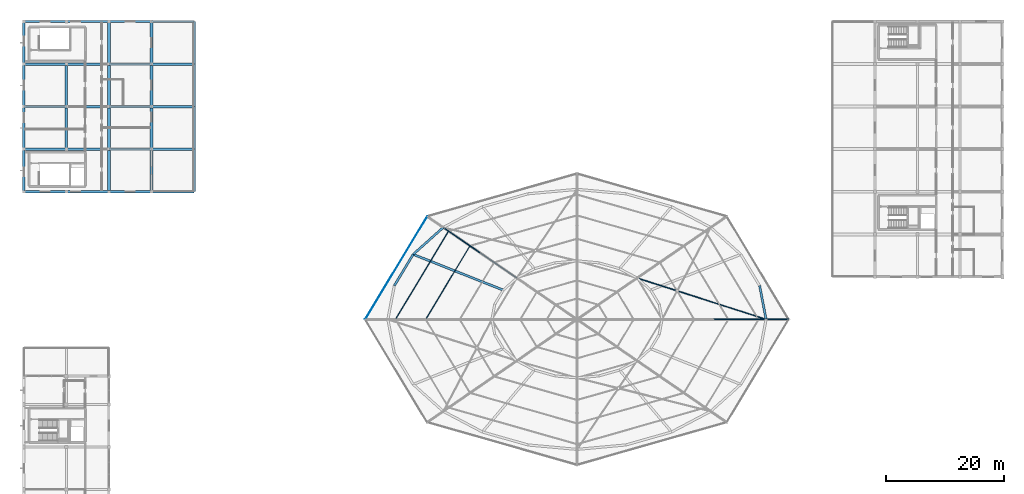
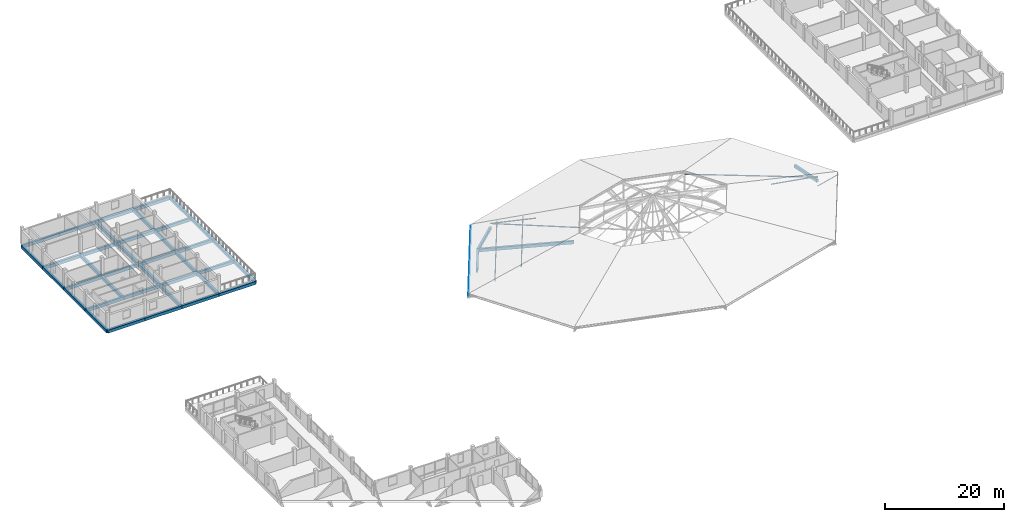
# One storey, part 32 of 66: 42 beams, 8 members.
"""IFC4 building model written with IfcOpenShell, lengths in metres."""

import ifcopenshell
import ifcopenshell.guid

model = None  # the IFC model being written
_history = None  # IfcOwnerHistory: only IFC2X3 demands one
_inside = {}  # id of a spatial element -> (the spatial element, [elements in it])
_under = {}  # id of a project, library or spatial element -> (it, [spatial elements below it])
_declared = {}  # id of a project -> (the project, [libraries it declares])
_typed = {}  # id of a type object -> (the type object, [elements of that type])
_made_of = {}  # id of a material, layer set ... -> (it, [elements and type objects made of it])


def new_model(schema):
    """Start an empty IFC model of exactly this schema.

    Asked for "IFC4X3", IfcOpenShell would pick the latest addendum, in which some entities
    have other attributes; the version numbers below select the first issue.
    IFC2X3 requires an IfcOwnerHistory on every rooted entity: one is made here for all.
    """
    global model, _history
    if schema == "IFC4X3":
        model = ifcopenshell.file(schema_version=(4, 3, 0, 0))
    else:
        model = ifcopenshell.file(schema=schema)
    _inside.clear()
    _under.clear()
    _declared.clear()
    _typed.clear()
    _made_of.clear()
    _history = None
    if model.schema == "IFC2X3":
        org = make("IfcOrganization", Name="unknown")
        user = make(
            "IfcPersonAndOrganization",
            ThePerson=make("IfcPerson", FamilyName="unknown"),
            TheOrganization=org,
        )
        app = make(
            "IfcApplication",
            ApplicationDeveloper=org,
            Version="unknown",
            ApplicationFullName="unknown",
            ApplicationIdentifier="unknown",
        )
        _history = make(
            "IfcOwnerHistory",
            OwningUser=user,
            OwningApplication=app,
            ChangeAction="ADDED",
            CreationDate=0,
        )
    return model


def make(cls, **values):
    """One entity of the class cls with the attributes given. An attribute that is None is left unset."""
    return model.create_entity(
        cls, **{name: value for name, value in values.items() if value is not None}
    )


def rooted(cls, **values):
    """An entity with a GlobalId (a new one), such as an element, a storey or a relation."""
    return make(cls, GlobalId=ifcopenshell.guid.new(), OwnerHistory=_history, **values)


def si_unit(unit_type, name, prefix=None):
    """IfcSIUnit, for example si_unit("LENGTHUNIT", "METRE", prefix="MILLI")."""
    return make("IfcSIUnit", UnitType=unit_type, Prefix=prefix, Name=name)


def assignment(units):
    """IfcUnitAssignment: the units of a project."""
    return None if units is None else make("IfcUnitAssignment", Units=units)


def point(xyz):
    """IfcCartesianPoint."""
    return None if xyz is None else make("IfcCartesianPoint", Coordinates=xyz)


def direction(xyz):
    """IfcDirection."""
    return None if xyz is None else make("IfcDirection", DirectionRatios=xyz)


def frame(location, z_axis=None, x_axis=None):
    """IfcAxis2Placement3D, a coordinate frame: its origin and axes. An axis left out is left unset."""
    return make(
        "IfcAxis2Placement3D",
        Location=point(location),
        Axis=direction(z_axis),
        RefDirection=direction(x_axis),
    )


def frame_2d(location, x_axis=None):
    """IfcAxis2Placement2D, a coordinate frame in the plane: its origin and x axis."""
    return make(
        "IfcAxis2Placement2D", Location=point(location), RefDirection=direction(x_axis)
    )


def origin():
    """The frame at (0, 0, 0) with its axes left unset."""
    return frame((0.0, 0.0, 0.0))


def origin_2d():
    """The frame at (0, 0) in the plane with its x axis left unset."""
    return frame_2d((0.0, 0.0))


def place(relative_to, where):
    """IfcLocalPlacement: puts the frame where relative to a parent placement (None: the world)."""
    return make(
        "IfcLocalPlacement", PlacementRelTo=relative_to, RelativePlacement=where
    )


def context(
    kind, dimensions, precision=None, world=None, true_north=None, identifier=None
):
    """IfcGeometricRepresentationContext, for example the 3D "Model" context."""
    return make(
        "IfcGeometricRepresentationContext",
        ContextIdentifier=identifier,
        ContextType=kind,
        CoordinateSpaceDimension=dimensions,
        Precision=precision,
        WorldCoordinateSystem=world,
        TrueNorth=true_north,
    )


def subcontext(parent, identifier, kind, view, scale=None):
    """IfcGeometricRepresentationSubContext, for example "Body" below "Model"."""
    return make(
        "IfcGeometricRepresentationSubContext",
        ContextIdentifier=identifier,
        ContextType=kind,
        ParentContext=parent,
        TargetScale=scale,
        TargetView=view,
    )


def project(units=None, contexts=None):
    """IfcProject with its units and contexts."""
    return rooted(
        "IfcProject",
        Name="project",
        RepresentationContexts=contexts,
        UnitsInContext=assignment(units),
    )


def spatial(cls, under=None, at=None, **own):
    """A site, building, storey or space (cls), placed at a placement, below another one or the project."""
    s = rooted(cls, ObjectPlacement=at, **own)
    if under is not None:
        _under.setdefault(under.id(), (under, []))[1].append(s)
    return s


def profile(cls, at=None, kind="AREA", **sizes):
    """A parametric profile (cls). Its sizes go by their IFC names, for example OverallWidth=200.0."""
    return make(cls, ProfileType=kind, Position=at, **sizes)


def rectangle(**sizes):
    """IfcRectangleProfileDef."""
    return profile("IfcRectangleProfileDef", **sizes)


def hollow_rectangle(**sizes):
    """IfcRectangleHollowProfileDef."""
    return profile("IfcRectangleHollowProfileDef", **sizes)


def hollow_circle(**sizes):
    """IfcCircleHollowProfileDef."""
    return profile("IfcCircleHollowProfileDef", **sizes)


def i_section(**sizes):
    """IfcIShapeProfileDef."""
    return profile("IfcIShapeProfileDef", **sizes)


def extrude(swept, where, along, depth):
    """IfcExtrudedAreaSolid: the profile swept, set in the frame where, extruded along a direction by depth."""
    return make(
        "IfcExtrudedAreaSolid",
        SweptArea=swept,
        Position=where,
        ExtrudedDirection=direction(along),
        Depth=depth,
    )


def shape(context_of_items, identifier, shape_type, items):
    """IfcShapeRepresentation: the items that make up one representation, for example the "Body"."""
    return make(
        "IfcShapeRepresentation",
        ContextOfItems=context_of_items,
        RepresentationIdentifier=identifier,
        RepresentationType=shape_type,
        Items=items,
    )


def material(Name=None, Category=None):
    """IfcMaterial."""
    return make("IfcMaterial", Name=Name, Category=Category)


def material_profile(
    of_material, cross_section, Name=None, Category=None, Priority=None
):
    """IfcMaterialProfile: a cross section and its material."""
    return make(
        "IfcMaterialProfile",
        Name=Name,
        Material=of_material,
        Profile=cross_section,
        Priority=Priority,
        Category=Category,
    )


def profile_set(profiles, Name=None, composite=None):
    """IfcMaterialProfileSet."""
    return make(
        "IfcMaterialProfileSet",
        Name=Name,
        MaterialProfiles=profiles,
        CompositeProfile=composite,
    )


def made_of(thing, what):
    """Note that an element or type object is made of a material, layer set ...; save() writes the relation."""
    if what is not None:
        _made_of.setdefault(what.id(), (what, []))[1].append(thing)
    return thing


def type_object(cls, material=None, **own):
    """A type object (cls), such as IfcWallType, which elements share."""
    return made_of(rooted(cls, **own), material)


def element(
    cls,
    number,
    at=None,
    inside=None,
    cuts=None,
    type_object=None,
    material=None,
    context=None,
    identifier="Body",
    shape_type=None,
    held_by="IfcProductDefinitionShape",
    body=None,
    shapes=None,
    **own,
):
    """One element of the class cls, such as IfcWall. Its Tag is "e" and its number.

    at: its placement. inside: the storey or other place that contains it. cuts: it is an
    opening in that element (IfcRelVoidsElement). A single representation is given by context,
    identifier, shape_type and body (its items); several are given by shapes. held_by: the class
    of the entity that holds the representations. save() writes the other relations.
    """
    e = rooted(cls, Tag="e%d" % number, ObjectPlacement=at, **own)
    if body is not None:
        shapes = [shape(context, identifier, shape_type, body)]
    if shapes is not None:
        e.Representation = make(held_by, Representations=shapes)
    if inside is not None:
        _inside.setdefault(inside.id(), (inside, []))[1].append(e)
    if cuts is not None:
        rooted(
            "IfcRelVoidsElement", RelatingBuildingElement=cuts, RelatedOpeningElement=e
        )
    if type_object is not None:
        _typed.setdefault(type_object.id(), (type_object, []))[1].append(e)
    return made_of(e, material)


def aggregate(whole, parts):
    """IfcRelAggregates: a whole, such as a stair, and the parts it consists of."""
    return rooted("IfcRelAggregates", RelatingObject=whole, RelatedObjects=parts)


def save(model, path):
    """Write the relations noted so far, then the file.

    IfcRelAggregates (storeys below a building ...), IfcRelContainedInSpatialStructure (elements
    in a storey), IfcRelDefinesByType, IfcRelAssociatesMaterial and IfcRelDeclares: one each for
    every whole, place, type object, material and project.
    """
    for whole, parts in _under.values():
        aggregate(whole, parts)
    for where, things in _inside.values():
        rooted(
            "IfcRelContainedInSpatialStructure",
            RelatedElements=things,
            RelatingStructure=where,
        )
    for kind, things in _typed.values():
        rooted("IfcRelDefinesByType", RelatedObjects=things, RelatingType=kind)
    for what, things in _made_of.values():
        rooted("IfcRelAssociatesMaterial", RelatedObjects=things, RelatingMaterial=what)
    for by, libraries in _declared.values():
        rooted("IfcRelDeclares", RelatingContext=by, RelatedDefinitions=libraries)
    model.write(path)


model = new_model("IFC4")

# Units and contexts
model_context = context("Model", 3, precision=1e-05, world=origin(), true_north=direction((0.0, 1.0)))
body_context = subcontext(model_context, "Body", "Model", "MODEL_VIEW")
ifc_project = project(units=[si_unit("LENGTHUNIT", "METRE"), si_unit("AREAUNIT", "SQUARE_METRE"), si_unit("VOLUMEUNIT", "CUBIC_METRE"), si_unit("PLANEANGLEUNIT", "RADIAN"), si_unit("MASSUNIT", "GRAM", prefix="KILO")], contexts=[model_context])

# Site, building, storey
site_placement = place(None, origin())
site = spatial("IfcSite", under=ifc_project, at=site_placement, CompositionType="ELEMENT")
building_placement = place(site_placement, origin())
building = spatial("IfcBuilding", under=site, at=building_placement, Name="Zornivar Specialist Clinic", CompositionType="ELEMENT")
storey_placement = place(building_placement, frame((0.0, 0.0, 16.0)))
storey = spatial("IfcBuildingStorey", under=building, at=storey_placement, Name="L04", CompositionType="ELEMENT", Elevation=16.0)

# Beams
ifc_material_1 = material(Name="Concrete C30/37", Category="concrete")
ifc_material_profile_1 = material_profile(ifc_material_1, rectangle(XDim=0.39990234375, YDim=0.64990234375, at=origin_2d()), Name="RC 400x650")
ifc_profile_set_1 = profile_set([ifc_material_profile_1], Name="Concrete C30/37")
beam_type_1 = type_object("IfcBeamType", Name="BM-RC-400x650", PredefinedType="BEAM", material=ifc_profile_set_1)
for number, where, z_axis, x_axis, name in (
    (1, (0.0, 86.39990234375, -0.635009765625), (1.0, 0.0, 0.0), (0.0, 1.0, 0.0), "bm:V5:L04:x:864:0"),
    (2, (7.199951171875, 86.39990234375, -0.635009765625), (1.0, 0.0, 0.0), (0.0, 1.0, 0.0), "bm:V5:L04:x:864:1"),
):
    element("IfcBeam", number, at=place(storey_placement, frame(where, z_axis=z_axis, x_axis=x_axis)), inside=storey, type_object=beam_type_1, Name=name, PredefinedType="BEAM", context=body_context, shape_type="SweptSolid", body=[
        extrude(rectangle(XDim=0.39990234375, YDim=0.64990234375, at=origin_2d()), origin(), (0.0, 0.0, 1.0), 7.199951171875),
    ])
beam_1_placement = place(storey_placement, frame((14.39990234375, 86.39990234375, -0.635009765625), z_axis=(1.0, 0.0, 0.0), x_axis=(0.0, 1.0, 0.0)))
element("IfcBeam", 3, at=beam_1_placement, inside=storey, type_object=beam_type_1, Name="bm:V5:L04:x:864:2", PredefinedType="BEAM", context=body_context, shape_type="SweptSolid", body=[
    extrude(rectangle(XDim=0.39990234375, YDim=0.64990234375, at=origin_2d()), origin(), (0.0, 0.0, 1.0), 7.2001953125),
])
for number, where, z_axis, x_axis, name in (
    (4, (21.60009765625, 86.39990234375, -0.635009765625), (1.0, 0.0, 0.0), (0.0, 1.0, 0.0), "bm:V5:L04:x:864:3"),
    (5, (0.0, 93.60009765625, -0.635009765625), (1.0, 0.0, 0.0), (0.0, 1.0, 0.0), "bm:V5:L04:x:936:0"),
    (6, (7.199951171875, 93.60009765625, -0.635009765625), (1.0, 0.0, 0.0), (0.0, 1.0, 0.0), "bm:V5:L04:x:936:1"),
):
    element("IfcBeam", number, at=place(storey_placement, frame(where, z_axis=z_axis, x_axis=x_axis)), inside=storey, type_object=beam_type_1, Name=name, PredefinedType="BEAM", context=body_context, shape_type="SweptSolid", body=[
        extrude(rectangle(XDim=0.39990234375, YDim=0.64990234375, at=origin_2d()), origin(), (0.0, 0.0, 1.0), 7.199951171875),
    ])
beam_2_placement = place(storey_placement, frame((14.39990234375, 93.60009765625, -0.635009765625), z_axis=(1.0, 0.0, 0.0), x_axis=(0.0, 1.0, 0.0)))
element("IfcBeam", 7, at=beam_2_placement, inside=storey, type_object=beam_type_1, Name="bm:V5:L04:x:936:2", PredefinedType="BEAM", context=body_context, shape_type="SweptSolid", body=[
    extrude(rectangle(XDim=0.39990234375, YDim=0.64990234375, at=origin_2d()), origin(), (0.0, 0.0, 1.0), 7.2001953125),
])
for number, where, z_axis, x_axis, name in (
    (8, (21.60009765625, 93.60009765625, -0.635009765625), (1.0, 0.0, 0.0), (0.0, 1.0, 0.0), "bm:V5:L04:x:936:3"),
    (9, (0.0, 100.800048828125, -0.635009765625), (1.0, 0.0, 0.0), (0.0, 1.0, 0.0), "bm:V5:L04:x:1008:0"),
    (10, (7.199951171875, 100.800048828125, -0.635009765625), (1.0, 0.0, 0.0), (0.0, 1.0, 0.0), "bm:V5:L04:x:1008:1"),
):
    element("IfcBeam", number, at=place(storey_placement, frame(where, z_axis=z_axis, x_axis=x_axis)), inside=storey, type_object=beam_type_1, Name=name, PredefinedType="BEAM", context=body_context, shape_type="SweptSolid", body=[
        extrude(rectangle(XDim=0.39990234375, YDim=0.64990234375, at=origin_2d()), origin(), (0.0, 0.0, 1.0), 7.199951171875),
    ])
beam_3_placement = place(storey_placement, frame((14.39990234375, 100.800048828125, -0.635009765625), z_axis=(1.0, 0.0, 0.0), x_axis=(0.0, 1.0, 0.0)))
element("IfcBeam", 11, at=beam_3_placement, inside=storey, type_object=beam_type_1, Name="bm:V5:L04:x:1008:2", PredefinedType="BEAM", context=body_context, shape_type="SweptSolid", body=[
    extrude(rectangle(XDim=0.39990234375, YDim=0.64990234375, at=origin_2d()), origin(), (0.0, 0.0, 1.0), 7.2001953125),
])
for number, where, z_axis, x_axis, name in (
    (12, (21.60009765625, 100.800048828125, -0.635009765625), (1.0, 0.0, 0.0), (0.0, 1.0, 0.0), "bm:V5:L04:x:1008:3"),
    (13, (0.0, 108.0, -0.635009765625), (1.0, 0.0, 0.0), (0.0, 1.0, 0.0), "bm:V5:L04:x:1080:0"),
    (14, (7.199951171875, 108.0, -0.635009765625), (1.0, 0.0, 0.0), (0.0, 1.0, 0.0), "bm:V5:L04:x:1080:1"),
):
    element("IfcBeam", number, at=place(storey_placement, frame(where, z_axis=z_axis, x_axis=x_axis)), inside=storey, type_object=beam_type_1, Name=name, PredefinedType="BEAM", context=body_context, shape_type="SweptSolid", body=[
        extrude(rectangle(XDim=0.39990234375, YDim=0.64990234375, at=origin_2d()), origin(), (0.0, 0.0, 1.0), 7.199951171875),
    ])
beam_4_placement = place(storey_placement, frame((14.39990234375, 108.0, -0.635009765625), z_axis=(1.0, 0.0, 0.0), x_axis=(0.0, 1.0, 0.0)))
element("IfcBeam", 15, at=beam_4_placement, inside=storey, type_object=beam_type_1, Name="bm:V5:L04:x:1080:2", PredefinedType="BEAM", context=body_context, shape_type="SweptSolid", body=[
    extrude(rectangle(XDim=0.39990234375, YDim=0.64990234375, at=origin_2d()), origin(), (0.0, 0.0, 1.0), 7.2001953125),
])
beam_5_placement = place(storey_placement, frame((21.60009765625, 108.0, -0.635009765625), z_axis=(1.0, 0.0, 0.0), x_axis=(0.0, 1.0, 0.0)))
element("IfcBeam", 16, at=beam_5_placement, inside=storey, type_object=beam_type_1, Name="bm:V5:L04:x:1080:3", PredefinedType="BEAM", context=body_context, shape_type="SweptSolid", body=[
    extrude(rectangle(XDim=0.39990234375, YDim=0.64990234375, at=origin_2d()), origin(), (0.0, 0.0, 1.0), 7.199951171875),
])
ifc_material_2 = material(Name="Concrete C30/37", Category="concrete")
ifc_material_profile_2 = material_profile(ifc_material_2, rectangle(XDim=0.449951171875, YDim=0.60009765625, at=origin_2d()), Name="RC 450x600")
ifc_profile_set_2 = profile_set([ifc_material_profile_2], Name="Concrete C30/37")
beam_type_2 = type_object("IfcBeamType", Name="BM-RC-450x600", PredefinedType="BEAM", material=ifc_profile_set_2)
beam_6_placement = place(storey_placement, frame((7.199951171875, 86.39990234375, -0.610107421875), z_axis=(0.0, 1.0, 0.0), x_axis=(-1.0, 0.0, 0.0)))
element("IfcBeam", 17, at=beam_6_placement, inside=storey, type_object=beam_type_2, Name="bm:V5:L04:y:72:1", PredefinedType="BEAM", context=body_context, shape_type="SweptSolid", body=[
    extrude(rectangle(XDim=0.449951171875, YDim=0.60009765625, at=origin_2d()), origin(), (0.0, 0.0, 1.0), 7.2001953125),
])
for number, where, z_axis, x_axis, name in (
    (18, (7.199951171875, 93.60009765625, -0.610107421875), (0.0, 1.0, 0.0), (-1.0, 0.0, 0.0), "bm:V5:L04:y:72:2"),
    (19, (14.39990234375, 79.199951171875, -0.610107421875), (0.0, 1.0, 0.0), (-1.0, 0.0, 0.0), "bm:V5:L04:y:144:0"),
):
    element("IfcBeam", number, at=place(storey_placement, frame(where, z_axis=z_axis, x_axis=x_axis)), inside=storey, type_object=beam_type_2, Name=name, PredefinedType="BEAM", context=body_context, shape_type="SweptSolid", body=[
        extrude(rectangle(XDim=0.449951171875, YDim=0.60009765625, at=origin_2d()), origin(), (0.0, 0.0, 1.0), 7.199951171875),
    ])
beam_7_placement = place(storey_placement, frame((14.39990234375, 86.39990234375, -0.610107421875), z_axis=(0.0, 1.0, 0.0), x_axis=(-1.0, 0.0, 0.0)))
element("IfcBeam", 20, at=beam_7_placement, inside=storey, type_object=beam_type_2, Name="bm:V5:L04:y:144:1", PredefinedType="BEAM", context=body_context, shape_type="SweptSolid", body=[
    extrude(rectangle(XDim=0.449951171875, YDim=0.60009765625, at=origin_2d()), origin(), (0.0, 0.0, 1.0), 7.2001953125),
])
for number, where, z_axis, x_axis, name in (
    (21, (14.39990234375, 93.60009765625, -0.610107421875), (0.0, 1.0, 0.0), (-1.0, 0.0, 0.0), "bm:V5:L04:y:144:2"),
    (22, (14.39990234375, 100.800048828125, -0.610107421875), (0.0, 1.0, 0.0), (-1.0, 0.0, 0.0), "bm:V5:L04:y:144:3"),
    (23, (21.60009765625, 79.199951171875, -0.610107421875), (0.0, 1.0, 0.0), (-1.0, 0.0, 0.0), "bm:V5:L04:y:216:0"),
):
    element("IfcBeam", number, at=place(storey_placement, frame(where, z_axis=z_axis, x_axis=x_axis)), inside=storey, type_object=beam_type_2, Name=name, PredefinedType="BEAM", context=body_context, shape_type="SweptSolid", body=[
        extrude(rectangle(XDim=0.449951171875, YDim=0.60009765625, at=origin_2d()), origin(), (0.0, 0.0, 1.0), 7.199951171875),
    ])
beam_8_placement = place(storey_placement, frame((21.60009765625, 86.39990234375, -0.610107421875), z_axis=(0.0, 1.0, 0.0), x_axis=(-1.0, 0.0, 0.0)))
element("IfcBeam", 24, at=beam_8_placement, inside=storey, type_object=beam_type_2, Name="bm:V5:L04:y:216:1", PredefinedType="BEAM", context=body_context, shape_type="SweptSolid", body=[
    extrude(rectangle(XDim=0.449951171875, YDim=0.60009765625, at=origin_2d()), origin(), (0.0, 0.0, 1.0), 7.2001953125),
])
for number, where, z_axis, x_axis, name in (
    (25, (21.60009765625, 93.60009765625, -0.610107421875), (0.0, 1.0, 0.0), (-1.0, 0.0, 0.0), "bm:V5:L04:y:216:2"),
    (26, (21.60009765625, 100.800048828125, -0.610107421875), (0.0, 1.0, 0.0), (-1.0, 0.0, 0.0), "bm:V5:L04:y:216:3"),
):
    element("IfcBeam", number, at=place(storey_placement, frame(where, z_axis=z_axis, x_axis=x_axis)), inside=storey, type_object=beam_type_2, Name=name, PredefinedType="BEAM", context=body_context, shape_type="SweptSolid", body=[
        extrude(rectangle(XDim=0.449951171875, YDim=0.60009765625, at=origin_2d()), origin(), (0.0, 0.0, 1.0), 7.199951171875),
    ])
ifc_material_3 = material(Name="Concrete C30/37", Category="concrete")
ifc_material_profile_3 = material_profile(ifc_material_3, rectangle(XDim=0.3798828125, YDim=0.6201171875, at=origin_2d()), Name="RC 380x620")
ifc_profile_set_3 = profile_set([ifc_material_profile_3], Name="Concrete C30/37")
beam_type_3 = type_object("IfcBeamType", Name="BM-RC-CANT-380x620", PredefinedType="BEAM", material=ifc_profile_set_3)
beam_9_placement = place(storey_placement, frame((81.12890625, 62.550048828125, -0.550048828125), z_axis=(-0.929456031673, 0.368932900657, 0.0), x_axis=(-0.368932900657, -0.929456031673, 0.0)))
element("IfcBeam", 27, at=beam_9_placement, inside=storey, type_object=beam_type_3, Name="bm:V1:L04:radcant:10", PredefinedType="BEAM", context=body_context, shape_type="SweptSolid", body=[
    extrude(rectangle(XDim=0.3798828125, YDim=0.6201171875, at=origin_2d()), origin(), (0.0, 0.0, 1.0), 16.398681640625),
])
ifc_material_4 = material(Name="Concrete C30/37", Category="concrete")
ifc_material_profile_4 = material_profile(ifc_material_4, rectangle(XDim=0.3701171875, YDim=0.60009765625, at=origin_2d()), Name="RC 370x600")
ifc_profile_set_4 = profile_set([ifc_material_profile_4], Name="Concrete C30/37")
beam_type_4 = type_object("IfcBeamType", Name="BM-RC-SPANDREL-370x600", PredefinedType="SPANDREL", material=ifc_profile_set_4)
beam_10_placement = place(storey_placement, frame((125.60009765625, 57.60009765625, -0.5400390625), z_axis=(-0.188035104441, 0.982162308123, 0.0), x_axis=(-0.982162308123, -0.188035104441, 0.0)))
element("IfcBeam", 28, at=beam_10_placement, inside=storey, type_object=beam_type_4, Name="bm:V1:L04:outring:00", PredefinedType="SPANDREL", context=body_context, shape_type="SweptSolid", body=[
    extrude(rectangle(XDim=0.3701171875, YDim=0.60009765625, at=origin_2d()), origin(), (0.0, 0.0, 1.0), 5.79736328125),
])
beam_11_placement = place(storey_placement, frame((70.972900390625, 73.156005859375, -0.5400390625), z_axis=(-0.744853105459, -0.66722848507, 0.0), x_axis=(0.66722848507, -0.744853105459, 0.0)))
element("IfcBeam", 29, at=beam_11_placement, inside=storey, type_object=beam_type_4, Name="bm:V1:L04:outring:09", PredefinedType="SPANDREL", context=body_context, shape_type="SweptSolid", body=[
    extrude(rectangle(XDim=0.3701171875, YDim=0.60009765625, at=origin_2d()), origin(), (0.0, 0.0, 1.0), 6.828125),
])
beam_12_placement = place(storey_placement, frame((65.886962890625, 68.60009765625, -0.5400390625), z_axis=(-0.516077084803, -0.856542142887, 0.0), x_axis=(0.856542142887, -0.516077084803, 0.0)))
element("IfcBeam", 30, at=beam_12_placement, inside=storey, type_object=beam_type_4, Name="bm:V1:L04:outring:10", PredefinedType="SPANDREL", context=body_context, shape_type="SweptSolid", body=[
    extrude(rectangle(XDim=0.3701171875, YDim=0.60009765625, at=origin_2d()), origin(), (0.0, 0.0, 1.0), 6.19482421875),
])
ifc_material_5 = material(Name="Concrete C30/37", Category="concrete")
ifc_material_profile_5 = material_profile(ifc_material_5, rectangle(XDim=0.429931640625, YDim=0.60009765625, at=origin_2d()), Name="RC 430x600")
ifc_profile_set_5 = profile_set([ifc_material_profile_5], Name="Concrete C30/37")
beam_type_5 = type_object("IfcBeamType", Name="BM-RC-SPANDREL-430x600", PredefinedType="SPANDREL", material=ifc_profile_set_5)
for number, where, z_axis, x_axis, name in (
    (31, (0.0, 79.199951171875, -0.610107421875), (1.0, 0.0, 0.0), (0.0, 1.0, 0.0), "bm:V5:L04:x:792:0"),
    (32, (7.199951171875, 79.199951171875, -0.610107421875), (1.0, 0.0, 0.0), (0.0, 1.0, 0.0), "bm:V5:L04:x:792:1"),
):
    element("IfcBeam", number, at=place(storey_placement, frame(where, z_axis=z_axis, x_axis=x_axis)), inside=storey, type_object=beam_type_5, Name=name, PredefinedType="SPANDREL", context=body_context, shape_type="SweptSolid", body=[
        extrude(rectangle(XDim=0.429931640625, YDim=0.60009765625, at=origin_2d()), origin(), (0.0, 0.0, 1.0), 7.199951171875),
    ])
beam_13_placement = place(storey_placement, frame((14.39990234375, 79.199951171875, -0.610107421875), z_axis=(1.0, 0.0, 0.0), x_axis=(0.0, 1.0, 0.0)))
element("IfcBeam", 33, at=beam_13_placement, inside=storey, type_object=beam_type_5, Name="bm:V5:L04:x:792:2", PredefinedType="SPANDREL", context=body_context, shape_type="SweptSolid", body=[
    extrude(rectangle(XDim=0.429931640625, YDim=0.60009765625, at=origin_2d()), origin(), (0.0, 0.0, 1.0), 7.2001953125),
])
for number, where, z_axis, x_axis, name in (
    (34, (21.60009765625, 79.199951171875, -0.610107421875), (1.0, 0.0, 0.0), (0.0, 1.0, 0.0), "bm:V5:L04:x:792:3"),
    (35, (0.0, 79.199951171875, -0.610107421875), (0.0, 1.0, 0.0), (-1.0, 0.0, 0.0), "bm:V5:L04:y:0:0"),
):
    element("IfcBeam", number, at=place(storey_placement, frame(where, z_axis=z_axis, x_axis=x_axis)), inside=storey, type_object=beam_type_5, Name=name, PredefinedType="SPANDREL", context=body_context, shape_type="SweptSolid", body=[
        extrude(rectangle(XDim=0.429931640625, YDim=0.60009765625, at=origin_2d()), origin(), (0.0, 0.0, 1.0), 7.199951171875),
    ])
beam_14_placement = place(storey_placement, frame((0.0, 86.39990234375, -0.610107421875), z_axis=(0.0, 1.0, 0.0), x_axis=(-1.0, 0.0, 0.0)))
element("IfcBeam", 36, at=beam_14_placement, inside=storey, type_object=beam_type_5, Name="bm:V5:L04:y:0:1", PredefinedType="SPANDREL", context=body_context, shape_type="SweptSolid", body=[
    extrude(rectangle(XDim=0.429931640625, YDim=0.60009765625, at=origin_2d()), origin(), (0.0, 0.0, 1.0), 7.2001953125),
])
for number, where, z_axis, x_axis, name in (
    (37, (0.0, 93.60009765625, -0.610107421875), (0.0, 1.0, 0.0), (-1.0, 0.0, 0.0), "bm:V5:L04:y:0:2"),
    (38, (0.0, 100.800048828125, -0.610107421875), (0.0, 1.0, 0.0), (-1.0, 0.0, 0.0), "bm:V5:L04:y:0:3"),
    (39, (28.800048828125, 79.199951171875, -0.610107421875), (0.0, 1.0, 0.0), (-1.0, 0.0, 0.0), "bm:V5:L04:y:288:0"),
):
    element("IfcBeam", number, at=place(storey_placement, frame(where, z_axis=z_axis, x_axis=x_axis)), inside=storey, type_object=beam_type_5, Name=name, PredefinedType="SPANDREL", context=body_context, shape_type="SweptSolid", body=[
        extrude(rectangle(XDim=0.429931640625, YDim=0.60009765625, at=origin_2d()), origin(), (0.0, 0.0, 1.0), 7.199951171875),
    ])
beam_15_placement = place(storey_placement, frame((28.800048828125, 86.39990234375, -0.610107421875), z_axis=(0.0, 1.0, 0.0), x_axis=(-1.0, 0.0, 0.0)))
element("IfcBeam", 40, at=beam_15_placement, inside=storey, type_object=beam_type_5, Name="bm:V5:L04:y:288:1", PredefinedType="SPANDREL", context=body_context, shape_type="SweptSolid", body=[
    extrude(rectangle(XDim=0.429931640625, YDim=0.60009765625, at=origin_2d()), origin(), (0.0, 0.0, 1.0), 7.2001953125),
])
for number, where, z_axis, x_axis, name in (
    (41, (28.800048828125, 93.60009765625, -0.610107421875), (0.0, 1.0, 0.0), (-1.0, 0.0, 0.0), "bm:V5:L04:y:288:2"),
    (42, (28.800048828125, 100.800048828125, -0.610107421875), (0.0, 1.0, 0.0), (-1.0, 0.0, 0.0), "bm:V5:L04:y:288:3"),
):
    element("IfcBeam", number, at=place(storey_placement, frame(where, z_axis=z_axis, x_axis=x_axis)), inside=storey, type_object=beam_type_5, Name=name, PredefinedType="SPANDREL", context=body_context, shape_type="SweptSolid", body=[
        extrude(rectangle(XDim=0.429931640625, YDim=0.60009765625, at=origin_2d()), origin(), (0.0, 0.0, 1.0), 7.199951171875),
    ])

# Members
ifc_material_6 = material(Name="Steel S355J2", Category="steel")
ifc_material_profile_6 = material_profile(ifc_material_6, hollow_circle(Radius=0.109619140625, WallThickness=0.012451171875, at=origin_2d()), Name="CHS 219.1x12.5")
ifc_profile_set_6 = profile_set([ifc_material_profile_6], Name="Steel S355J2")
member_type_1 = type_object("IfcMemberType", Name="MEM-CHORD-CHS219", PredefinedType="CHORD", material=ifc_profile_set_6)
member_1_placement = place(storey_placement, frame((70.972900390625, 73.156005859375, 0.360107421875), z_axis=(0.824044282577, -0.566525392504, 0.0), x_axis=(0.566525392504, 0.824044282577, 0.0)))
element("IfcMember", 43, at=member_1_placement, inside=storey, type_object=member_type_1, Name="mem:V1:L04:rtie:3", PredefinedType="CHORD", context=body_context, shape_type="SweptSolid", body=[
    extrude(hollow_circle(Radius=0.109619140625, WallThickness=0.012451171875, at=origin_2d()), origin(), (0.0, 0.0, 1.0), 15.1025390625),
])
ifc_material_7 = material(Name="Steel S355J2", Category="steel")
ifc_material_profile_7 = material_profile(ifc_material_7, hollow_circle(Radius=0.06982421875, WallThickness=0.010009765625, at=origin_2d()), Name="CHS 139.7x10")
ifc_profile_set_7 = profile_set([ifc_material_profile_7], Name="Steel S355J2")
member_type_2 = type_object("IfcMemberType", Name="MEM-DIAG-CHS140H", PredefinedType="BRACE", material=ifc_profile_set_7)
member_2_placement = place(storey_placement, frame((125.60009765625, 57.60009765625, 0.360107421875), z_axis=(-0.985789955879, 0.0, 0.167982626742), x_axis=(0.0, -1.0, 0.0)))
element("IfcMember", 44, at=member_2_placement, inside=storey, type_object=member_type_2, Name="mem:V1:L04:diag1:0", PredefinedType="BRACE", context=body_context, shape_type="SweptSolid", body=[
    extrude(hollow_circle(Radius=0.06982421875, WallThickness=0.010009765625, at=origin_2d()), origin(), (0.0, 0.0, 1.0), 9.08935546875),
])
member_3_placement = place(storey_placement, frame((70.972900390625, 73.156005859375, 0.360107421875), z_axis=(0.808270288416, -0.55566441205, 0.194772179854), x_axis=(0.566513999716, 0.824052114933, 0.0)))
element("IfcMember", 45, at=member_3_placement, inside=storey, type_object=member_type_2, Name="mem:V1:L04:diag1:3", PredefinedType="BRACE", context=body_context, shape_type="SweptSolid", body=[
    extrude(hollow_circle(Radius=0.06982421875, WallThickness=0.010009765625, at=origin_2d()), origin(), (0.0, 0.0, 1.0), 7.839111328125),
])
ifc_material_8 = material(Name="Steel S355J2", Category="steel")
ifc_material_profile_8 = material_profile(ifc_material_8, hollow_rectangle(XDim=0.080078125, YDim=0.159912109375, WallThickness=0.008056640625, at=origin_2d()), Name="RHS 160x80x8")
ifc_profile_set_8 = profile_set([ifc_material_profile_8], Name="Steel S355J2")
member_type_3 = type_object("IfcMemberType", Name="MEM-EAVE-RHS160", PredefinedType="USERDEFINED", material=ifc_profile_set_8)
member_4_placement = place(storey_placement, frame((68.258056640625, 75.02294921875, -0.3359375), z_axis=(-0.516097512567, -0.856529834578, 0.0), x_axis=(0.856529834578, -0.516097512567, 0.0)))
element("IfcMember", 46, at=member_4_placement, inside=storey, type_object=member_type_3, Name="mem:V1:L04:purl:3:00", ObjectType="EAVE RAFTER", PredefinedType="USERDEFINED", context=body_context, shape_type="SweptSolid", body=[
    extrude(hollow_rectangle(XDim=0.080078125, YDim=0.159912109375, WallThickness=0.008056640625, at=origin_2d()), origin(), (0.0, 0.0, 1.0), 20.34130859375),
])
ifc_material_9 = material(Name="Steel S355J2", Category="steel")
ifc_material_profile_9 = material_profile(ifc_material_9, i_section(OverallWidth=0.10009765625, OverallDepth=0.199951171875, WebThickness=0.005615234375, FlangeThickness=0.008544921875, FilletRadius=0.011962890625, at=origin_2d()), Name="IPE 200")
ifc_profile_set_9 = profile_set([ifc_material_profile_9], Name="Steel S355J2")
member_type_4 = type_object("IfcMemberType", Name="MEM-PURLIN-IPE200", PredefinedType="PURLIN", material=ifc_profile_set_9)
member_5_placement = place(storey_placement, frame((71.8779296875, 72.533935546875, 0.8349609375), z_axis=(-0.516086656178, -0.856536375944, 0.0), x_axis=(0.856536375944, -0.516086656178, 0.0)))
element("IfcMember", 47, at=member_5_placement, inside=storey, type_object=member_type_4, Name="mem:V1:L04:purl:3:01", PredefinedType="PURLIN", context=body_context, shape_type="SweptSolid", body=[
    extrude(i_section(OverallWidth=0.10009765625, OverallDepth=0.199951171875, WebThickness=0.005615234375, FlangeThickness=0.008544921875, FilletRadius=0.011962890625, at=origin_2d()), origin(), (0.0, 0.0, 1.0), 17.43505859375),
])
member_6_placement = place(storey_placement, frame((75.498046875, 70.044921875, 2.006103515625), z_axis=(-0.516071456731, -0.856545533844, 0.0), x_axis=(0.856545533844, -0.516071456731, 0.0)))
element("IfcMember", 48, at=member_6_placement, inside=storey, type_object=member_type_4, Name="mem:V1:L04:purl:3:02", PredefinedType="PURLIN", context=body_context, shape_type="SweptSolid", body=[
    extrude(i_section(OverallWidth=0.10009765625, OverallDepth=0.199951171875, WebThickness=0.005615234375, FlangeThickness=0.008544921875, FilletRadius=0.011962890625, at=origin_2d()), origin(), (0.0, 0.0, 1.0), 14.529052734375),
])
ifc_material_10 = material(Name="Steel S355J2", Category="steel")
ifc_material_profile_10 = material_profile(ifc_material_10, hollow_circle(Radius=0.084228515625, WallThickness=0.010009765625, at=origin_2d()), Name="CHS 168.3x10")
ifc_profile_set_10 = profile_set([ifc_material_profile_10], Name="Steel S355J2")
member_type_5 = type_object("IfcMemberType", Name="MEM-STRUT-CHS168", PredefinedType="STRUT", material=ifc_profile_set_10)
member_7_placement = place(storey_placement, frame((125.60009765625, 57.60009765625, -1.64990234375), z_axis=(0.970792524512, 0.0, 0.239920558417), x_axis=(0.0, 1.0, 0.0)))
element("IfcMember", 49, at=member_7_placement, inside=storey, type_object=member_type_5, Name="mem:V1:L04:ebrace:0", PredefinedType="STRUT", context=body_context, shape_type="SweptSolid", body=[
    extrude(hollow_circle(Radius=0.084228515625, WallThickness=0.010009765625, at=origin_2d()), origin(), (0.0, 0.0, 1.0), 3.955322265625),
])
ifc_material_11 = material(Name="Steel S355J2", Category="steel")
ifc_material_profile_11 = material_profile(ifc_material_11, hollow_circle(Radius=0.06982421875, WallThickness=0.008056640625, at=origin_2d()), Name="CHS 139.7x8")
ifc_profile_set_11 = profile_set([ifc_material_profile_11], Name="Steel S355J2")
member_type_6 = type_object("IfcMemberType", Name="MEM-WIND-CHS140", PredefinedType="BRACE", material=ifc_profile_set_11)
member_8_placement = place(storey_placement, frame((125.60009765625, 57.60009765625, 0.177001953125), z_axis=(-0.937819385722, 0.300884637813, 0.173098915343), x_axis=(-0.305496273656, -0.952193271758, 0.0)))
element("IfcMember", 50, at=member_8_placement, inside=storey, type_object=member_type_6, Name="mem:V1:L04:wbraceA:0", PredefinedType="BRACE", context=body_context, shape_type="SweptSolid", body=[
    extrude(hollow_circle(Radius=0.06982421875, WallThickness=0.008056640625, at=origin_2d()), origin(), (0.0, 0.0, 1.0), 23.2646484375),
])

save(model, "model.ifc")
